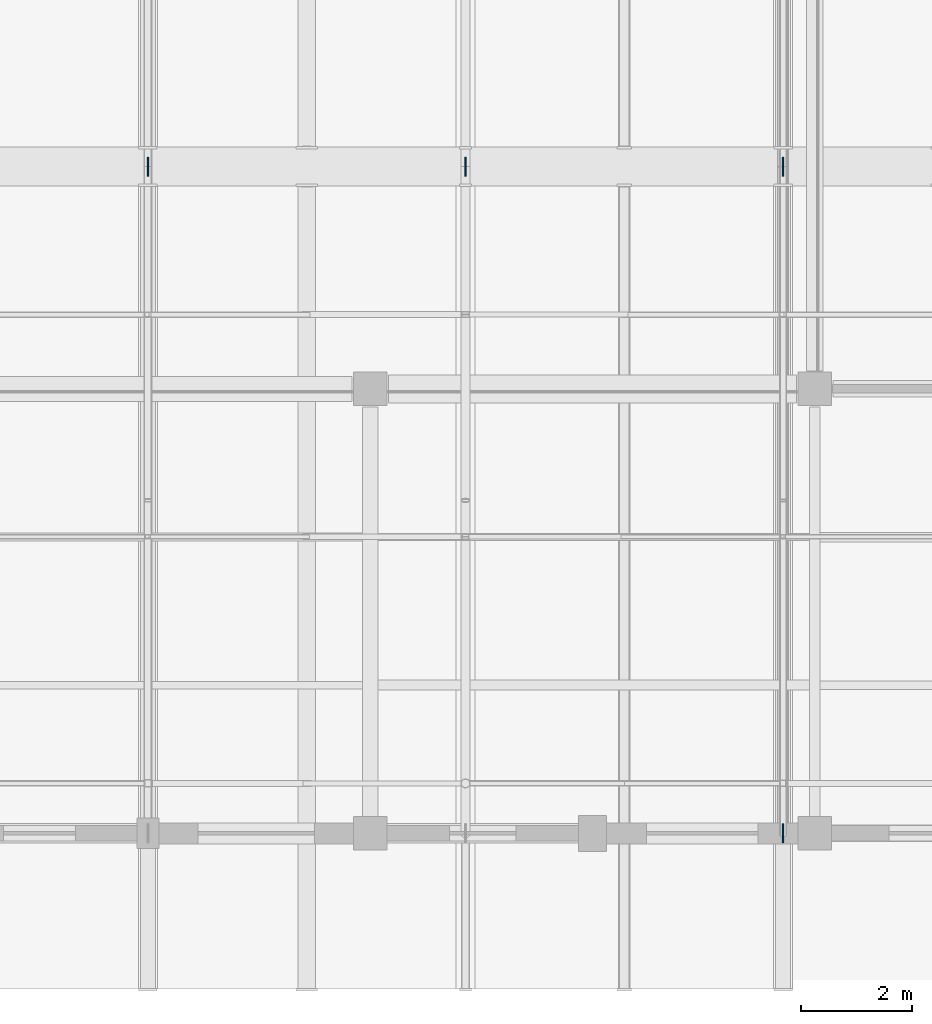
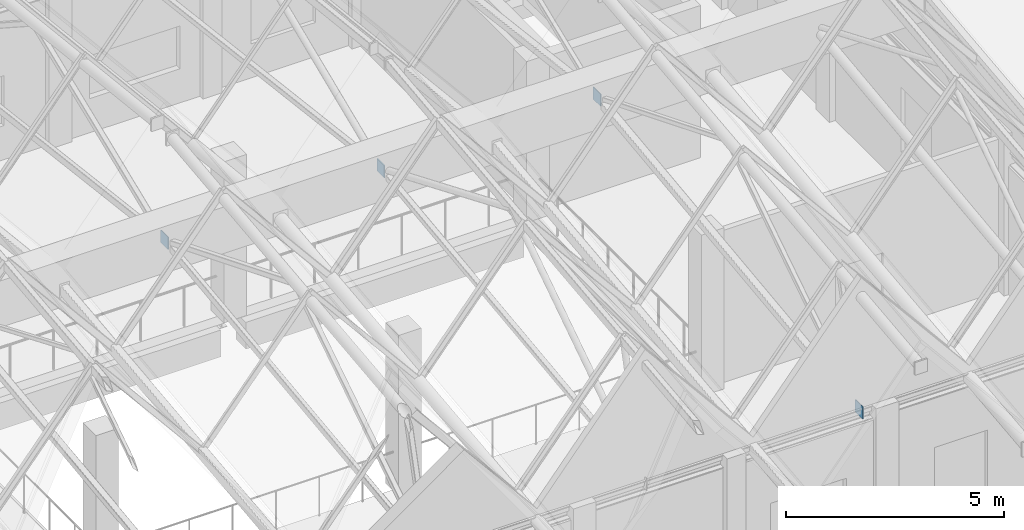
# One storey, part 30 of 77: 4 plates.
"""IFC4 building model written with IfcOpenShell, lengths in metres."""

import ifcopenshell
import ifcopenshell.guid

model = None  # the IFC model being written
_history = None  # IfcOwnerHistory: only IFC2X3 demands one
_inside = {}  # id of a spatial element -> (the spatial element, [elements in it])
_under = {}  # id of a project, library or spatial element -> (it, [spatial elements below it])
_declared = {}  # id of a project -> (the project, [libraries it declares])
_typed = {}  # id of a type object -> (the type object, [elements of that type])
_made_of = {}  # id of a material, layer set ... -> (it, [elements and type objects made of it])


def new_model(schema):
    """Start an empty IFC model of exactly this schema.

    Asked for "IFC4X3", IfcOpenShell would pick the latest addendum, in which some entities
    have other attributes; the version numbers below select the first issue.
    IFC2X3 requires an IfcOwnerHistory on every rooted entity: one is made here for all.
    """
    global model, _history
    if schema == "IFC4X3":
        model = ifcopenshell.file(schema_version=(4, 3, 0, 0))
    else:
        model = ifcopenshell.file(schema=schema)
    _inside.clear()
    _under.clear()
    _declared.clear()
    _typed.clear()
    _made_of.clear()
    _history = None
    if model.schema == "IFC2X3":
        org = make("IfcOrganization", Name="unknown")
        user = make(
            "IfcPersonAndOrganization",
            ThePerson=make("IfcPerson", FamilyName="unknown"),
            TheOrganization=org,
        )
        app = make(
            "IfcApplication",
            ApplicationDeveloper=org,
            Version="unknown",
            ApplicationFullName="unknown",
            ApplicationIdentifier="unknown",
        )
        _history = make(
            "IfcOwnerHistory",
            OwningUser=user,
            OwningApplication=app,
            ChangeAction="ADDED",
            CreationDate=0,
        )
    return model


def make(cls, **values):
    """One entity of the class cls with the attributes given. An attribute that is None is left unset."""
    return model.create_entity(
        cls, **{name: value for name, value in values.items() if value is not None}
    )


def rooted(cls, **values):
    """An entity with a GlobalId (a new one), such as an element, a storey or a relation."""
    return make(cls, GlobalId=ifcopenshell.guid.new(), OwnerHistory=_history, **values)


def si_unit(unit_type, name, prefix=None):
    """IfcSIUnit, for example si_unit("LENGTHUNIT", "METRE", prefix="MILLI")."""
    return make("IfcSIUnit", UnitType=unit_type, Prefix=prefix, Name=name)


def assignment(units):
    """IfcUnitAssignment: the units of a project."""
    return None if units is None else make("IfcUnitAssignment", Units=units)


def point(xyz):
    """IfcCartesianPoint."""
    return None if xyz is None else make("IfcCartesianPoint", Coordinates=xyz)


def direction(xyz):
    """IfcDirection."""
    return None if xyz is None else make("IfcDirection", DirectionRatios=xyz)


def frame(location, z_axis=None, x_axis=None):
    """IfcAxis2Placement3D, a coordinate frame: its origin and axes. An axis left out is left unset."""
    return make(
        "IfcAxis2Placement3D",
        Location=point(location),
        Axis=direction(z_axis),
        RefDirection=direction(x_axis),
    )


def frame_2d(location, x_axis=None):
    """IfcAxis2Placement2D, a coordinate frame in the plane: its origin and x axis."""
    return make(
        "IfcAxis2Placement2D", Location=point(location), RefDirection=direction(x_axis)
    )


def origin():
    """The frame at (0, 0, 0) with its axes left unset."""
    return frame((0.0, 0.0, 0.0))


def origin_2d():
    """The frame at (0, 0) in the plane with its x axis left unset."""
    return frame_2d((0.0, 0.0))


def place(relative_to, where):
    """IfcLocalPlacement: puts the frame where relative to a parent placement (None: the world)."""
    return make(
        "IfcLocalPlacement", PlacementRelTo=relative_to, RelativePlacement=where
    )


def context(
    kind, dimensions, precision=None, world=None, true_north=None, identifier=None
):
    """IfcGeometricRepresentationContext, for example the 3D "Model" context."""
    return make(
        "IfcGeometricRepresentationContext",
        ContextIdentifier=identifier,
        ContextType=kind,
        CoordinateSpaceDimension=dimensions,
        Precision=precision,
        WorldCoordinateSystem=world,
        TrueNorth=true_north,
    )


def subcontext(parent, identifier, kind, view, scale=None):
    """IfcGeometricRepresentationSubContext, for example "Body" below "Model"."""
    return make(
        "IfcGeometricRepresentationSubContext",
        ContextIdentifier=identifier,
        ContextType=kind,
        ParentContext=parent,
        TargetScale=scale,
        TargetView=view,
    )


def project(units=None, contexts=None):
    """IfcProject with its units and contexts."""
    return rooted(
        "IfcProject",
        Name="project",
        RepresentationContexts=contexts,
        UnitsInContext=assignment(units),
    )


def spatial(cls, under=None, at=None, **own):
    """A site, building, storey or space (cls), placed at a placement, below another one or the project."""
    s = rooted(cls, ObjectPlacement=at, **own)
    if under is not None:
        _under.setdefault(under.id(), (under, []))[1].append(s)
    return s


def profile(cls, at=None, kind="AREA", **sizes):
    """A parametric profile (cls). Its sizes go by their IFC names, for example OverallWidth=200.0."""
    return make(cls, ProfileType=kind, Position=at, **sizes)


def rectangle(**sizes):
    """IfcRectangleProfileDef."""
    return profile("IfcRectangleProfileDef", **sizes)


def extrude(swept, where, along, depth):
    """IfcExtrudedAreaSolid: the profile swept, set in the frame where, extruded along a direction by depth."""
    return make(
        "IfcExtrudedAreaSolid",
        SweptArea=swept,
        Position=where,
        ExtrudedDirection=direction(along),
        Depth=depth,
    )


def shape(context_of_items, identifier, shape_type, items):
    """IfcShapeRepresentation: the items that make up one representation, for example the "Body"."""
    return make(
        "IfcShapeRepresentation",
        ContextOfItems=context_of_items,
        RepresentationIdentifier=identifier,
        RepresentationType=shape_type,
        Items=items,
    )


def material(Name=None, Category=None):
    """IfcMaterial."""
    return make("IfcMaterial", Name=Name, Category=Category)


def layer(
    of_material, thickness, ventilated=None, Name=None, Category=None, Priority=None
):
    """IfcMaterialLayer: one layer of a wall or slab, of a material (None: an air gap)."""
    return make(
        "IfcMaterialLayer",
        Material=of_material,
        LayerThickness=thickness,
        IsVentilated=ventilated,
        Name=Name,
        Category=Category,
        Priority=Priority,
    )


def layer_set(layers, Name=None):
    """IfcMaterialLayerSet."""
    return make("IfcMaterialLayerSet", MaterialLayers=layers, LayerSetName=Name)


def made_of(thing, what):
    """Note that an element or type object is made of a material, layer set ...; save() writes the relation."""
    if what is not None:
        _made_of.setdefault(what.id(), (what, []))[1].append(thing)
    return thing


def type_object(cls, material=None, **own):
    """A type object (cls), such as IfcWallType, which elements share."""
    return made_of(rooted(cls, **own), material)


def element(
    cls,
    number,
    at=None,
    inside=None,
    cuts=None,
    type_object=None,
    material=None,
    context=None,
    identifier="Body",
    shape_type=None,
    held_by="IfcProductDefinitionShape",
    body=None,
    shapes=None,
    **own,
):
    """One element of the class cls, such as IfcWall. Its Tag is "e" and its number.

    at: its placement. inside: the storey or other place that contains it. cuts: it is an
    opening in that element (IfcRelVoidsElement). A single representation is given by context,
    identifier, shape_type and body (its items); several are given by shapes. held_by: the class
    of the entity that holds the representations. save() writes the other relations.
    """
    e = rooted(cls, Tag="e%d" % number, ObjectPlacement=at, **own)
    if body is not None:
        shapes = [shape(context, identifier, shape_type, body)]
    if shapes is not None:
        e.Representation = make(held_by, Representations=shapes)
    if inside is not None:
        _inside.setdefault(inside.id(), (inside, []))[1].append(e)
    if cuts is not None:
        rooted(
            "IfcRelVoidsElement", RelatingBuildingElement=cuts, RelatedOpeningElement=e
        )
    if type_object is not None:
        _typed.setdefault(type_object.id(), (type_object, []))[1].append(e)
    return made_of(e, material)


def aggregate(whole, parts):
    """IfcRelAggregates: a whole, such as a stair, and the parts it consists of."""
    return rooted("IfcRelAggregates", RelatingObject=whole, RelatedObjects=parts)


def save(model, path):
    """Write the relations noted so far, then the file.

    IfcRelAggregates (storeys below a building ...), IfcRelContainedInSpatialStructure (elements
    in a storey), IfcRelDefinesByType, IfcRelAssociatesMaterial and IfcRelDeclares: one each for
    every whole, place, type object, material and project.
    """
    for whole, parts in _under.values():
        aggregate(whole, parts)
    for where, things in _inside.values():
        rooted(
            "IfcRelContainedInSpatialStructure",
            RelatedElements=things,
            RelatingStructure=where,
        )
    for kind, things in _typed.values():
        rooted("IfcRelDefinesByType", RelatedObjects=things, RelatingType=kind)
    for what, things in _made_of.values():
        rooted("IfcRelAssociatesMaterial", RelatedObjects=things, RelatingMaterial=what)
    for by, libraries in _declared.values():
        rooted("IfcRelDeclares", RelatingContext=by, RelatedDefinitions=libraries)
    model.write(path)


model = new_model("IFC4")

# Units and contexts
model_context = context("Model", 3, precision=1e-05, world=origin(), true_north=direction((0.0, 1.0)))
body_context = subcontext(model_context, "Body", "Model", "MODEL_VIEW")
ifc_project = project(units=[si_unit("LENGTHUNIT", "METRE"), si_unit("AREAUNIT", "SQUARE_METRE"), si_unit("VOLUMEUNIT", "CUBIC_METRE"), si_unit("PLANEANGLEUNIT", "RADIAN"), si_unit("MASSUNIT", "GRAM", prefix="KILO")], contexts=[model_context])

# Site, building, storey
site_placement = place(None, origin())
site = spatial("IfcSite", under=ifc_project, at=site_placement, CompositionType="ELEMENT")
building_placement = place(site_placement, origin())
building = spatial("IfcBuilding", under=site, at=building_placement, Name="Luwemba Playhouse", CompositionType="ELEMENT")
storey_placement = place(building_placement, frame((0.0, 0.0, 9.300048828125)))
storey = spatial("IfcBuildingStorey", under=building, at=storey_placement, Name="L02", CompositionType="ELEMENT", Elevation=9.300048828125)

# Plates
ifc_material = material(Name="Steel S355", Category="steel")
ifc_layer_1 = layer(ifc_material, 0.02001953125)
ifc_layer_set_1 = layer_set([ifc_layer_1], Name="Steel S355")
plate_type_1 = type_object("IfcPlateType", Name="PLT-GP2", PredefinedType="USERDEFINED", material=ifc_layer_set_1)
plate_placement = place(storey_placement, frame((35.4287109375, 3.0, 4.22998046875), z_axis=(0.0, 0.0, 1.0), x_axis=(1.0, 0.0, 0.0)))
element("IfcPlate", 1, at=plate_placement, inside=storey, type_object=plate_type_1, Name="Truss node gusset cap plate 0127", ObjectType="GUSSET PLATE", PredefinedType="USERDEFINED", context=body_context, shape_type="SweptSolid", body=[
    extrude(rectangle(XDim=0.02001953125, YDim=0.340087890625, at=origin_2d()), origin(), (0.0, 0.0, 1.0), 0.340087890625),
])
ifc_layer_2 = layer(ifc_material, 0.02490234375)
ifc_layer_set_2 = layer_set([ifc_layer_2], Name="Steel S355")
plate_type_2 = type_object("IfcPlateType", Name="PLT-GP3", PredefinedType="USERDEFINED", material=ifc_layer_set_2)
for number, where, z_axis, x_axis, name in (
    (2, (24.0, 15.0, 5.69580078125), (0.0, 0.0, 1.0), (1.0, 0.0, 0.0), "Truss node gusset cap plate 0122"),
    (3, (29.71435546875, 15.0, 5.69580078125), (0.0, 0.0, 1.0), (1.0, 0.0, 0.0), "Truss node gusset cap plate 0125"),
    (4, (35.4287109375, 15.0, 5.69580078125), (0.0, 0.0, 1.0), (1.0, 0.0, 0.0), "Truss node gusset cap plate 0128"),
):
    element("IfcPlate", number, at=place(storey_placement, frame(where, z_axis=z_axis, x_axis=x_axis)), inside=storey, type_object=plate_type_2, Name=name, ObjectType="GUSSET PLATE", PredefinedType="USERDEFINED", context=body_context, shape_type="SweptSolid", body=[
        extrude(rectangle(XDim=0.02490234375, YDim=0.340087890625, at=origin_2d()), origin(), (0.0, 0.0, 1.0), 0.340087890625),
    ])

save(model, "model.ifc")
